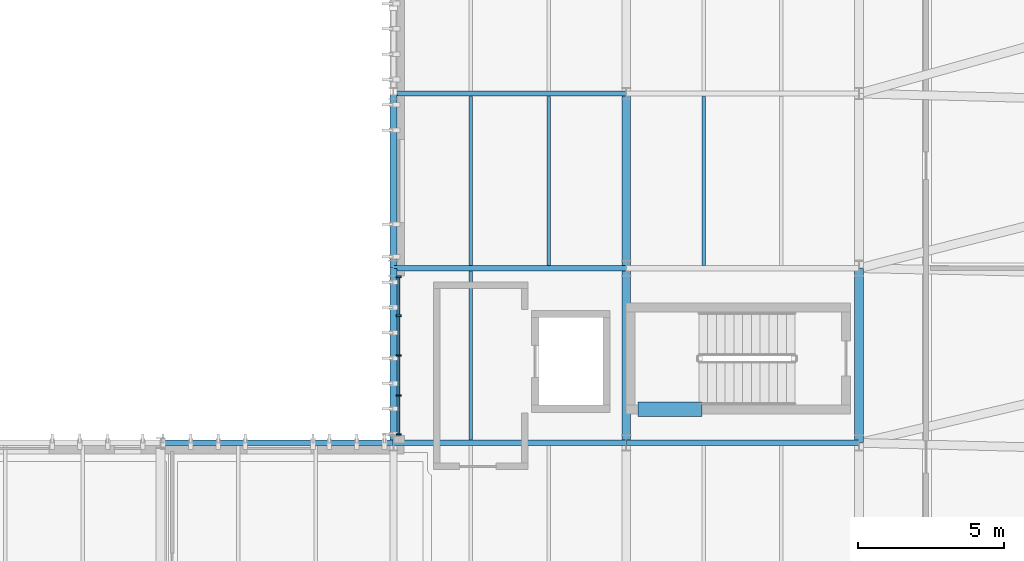
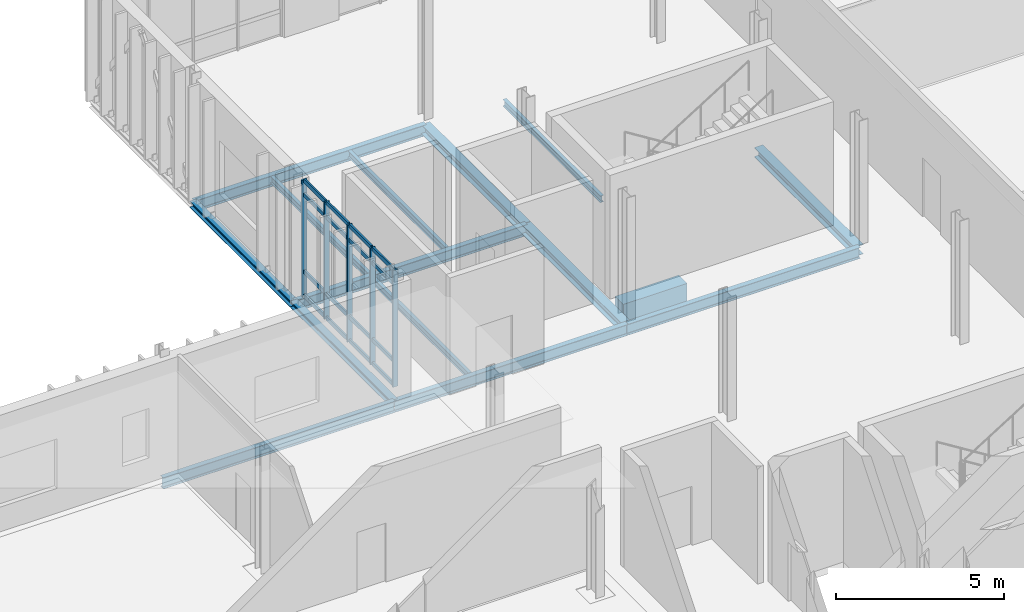
# One storey, part 40 of 86: 21 members, 15 beams, 1 element without a shape of its own.
"""IFC4 building model written with IfcOpenShell, lengths in metres."""

import ifcopenshell
import ifcopenshell.guid

model = None  # the IFC model being written
_history = None  # IfcOwnerHistory: only IFC2X3 demands one
_inside = {}  # id of a spatial element -> (the spatial element, [elements in it])
_under = {}  # id of a project, library or spatial element -> (it, [spatial elements below it])
_declared = {}  # id of a project -> (the project, [libraries it declares])
_typed = {}  # id of a type object -> (the type object, [elements of that type])
_made_of = {}  # id of a material, layer set ... -> (it, [elements and type objects made of it])


def new_model(schema):
    """Start an empty IFC model of exactly this schema.

    Asked for "IFC4X3", IfcOpenShell would pick the latest addendum, in which some entities
    have other attributes; the version numbers below select the first issue.
    IFC2X3 requires an IfcOwnerHistory on every rooted entity: one is made here for all.
    """
    global model, _history
    if schema == "IFC4X3":
        model = ifcopenshell.file(schema_version=(4, 3, 0, 0))
    else:
        model = ifcopenshell.file(schema=schema)
    _inside.clear()
    _under.clear()
    _declared.clear()
    _typed.clear()
    _made_of.clear()
    _history = None
    if model.schema == "IFC2X3":
        org = make("IfcOrganization", Name="unknown")
        user = make(
            "IfcPersonAndOrganization",
            ThePerson=make("IfcPerson", FamilyName="unknown"),
            TheOrganization=org,
        )
        app = make(
            "IfcApplication",
            ApplicationDeveloper=org,
            Version="unknown",
            ApplicationFullName="unknown",
            ApplicationIdentifier="unknown",
        )
        _history = make(
            "IfcOwnerHistory",
            OwningUser=user,
            OwningApplication=app,
            ChangeAction="ADDED",
            CreationDate=0,
        )
    return model


def make(cls, **values):
    """One entity of the class cls with the attributes given. An attribute that is None is left unset."""
    return model.create_entity(
        cls, **{name: value for name, value in values.items() if value is not None}
    )


def rooted(cls, **values):
    """An entity with a GlobalId (a new one), such as an element, a storey or a relation."""
    return make(cls, GlobalId=ifcopenshell.guid.new(), OwnerHistory=_history, **values)


def si_unit(unit_type, name, prefix=None):
    """IfcSIUnit, for example si_unit("LENGTHUNIT", "METRE", prefix="MILLI")."""
    return make("IfcSIUnit", UnitType=unit_type, Prefix=prefix, Name=name)


def assignment(units):
    """IfcUnitAssignment: the units of a project."""
    return None if units is None else make("IfcUnitAssignment", Units=units)


def point(xyz):
    """IfcCartesianPoint."""
    return None if xyz is None else make("IfcCartesianPoint", Coordinates=xyz)


def direction(xyz):
    """IfcDirection."""
    return None if xyz is None else make("IfcDirection", DirectionRatios=xyz)


def frame(location, z_axis=None, x_axis=None):
    """IfcAxis2Placement3D, a coordinate frame: its origin and axes. An axis left out is left unset."""
    return make(
        "IfcAxis2Placement3D",
        Location=point(location),
        Axis=direction(z_axis),
        RefDirection=direction(x_axis),
    )


def frame_2d(location, x_axis=None):
    """IfcAxis2Placement2D, a coordinate frame in the plane: its origin and x axis."""
    return make(
        "IfcAxis2Placement2D", Location=point(location), RefDirection=direction(x_axis)
    )


def origin():
    """The frame at (0, 0, 0) with its axes left unset."""
    return frame((0.0, 0.0, 0.0))


def origin_2d():
    """The frame at (0, 0) in the plane with its x axis left unset."""
    return frame_2d((0.0, 0.0))


def place(relative_to, where):
    """IfcLocalPlacement: puts the frame where relative to a parent placement (None: the world)."""
    return make(
        "IfcLocalPlacement", PlacementRelTo=relative_to, RelativePlacement=where
    )


def context(
    kind, dimensions, precision=None, world=None, true_north=None, identifier=None
):
    """IfcGeometricRepresentationContext, for example the 3D "Model" context."""
    return make(
        "IfcGeometricRepresentationContext",
        ContextIdentifier=identifier,
        ContextType=kind,
        CoordinateSpaceDimension=dimensions,
        Precision=precision,
        WorldCoordinateSystem=world,
        TrueNorth=true_north,
    )


def subcontext(parent, identifier, kind, view, scale=None):
    """IfcGeometricRepresentationSubContext, for example "Body" below "Model"."""
    return make(
        "IfcGeometricRepresentationSubContext",
        ContextIdentifier=identifier,
        ContextType=kind,
        ParentContext=parent,
        TargetScale=scale,
        TargetView=view,
    )


def project(units=None, contexts=None):
    """IfcProject with its units and contexts."""
    return rooted(
        "IfcProject",
        Name="project",
        RepresentationContexts=contexts,
        UnitsInContext=assignment(units),
    )


def spatial(cls, under=None, at=None, **own):
    """A site, building, storey or space (cls), placed at a placement, below another one or the project."""
    s = rooted(cls, ObjectPlacement=at, **own)
    if under is not None:
        _under.setdefault(under.id(), (under, []))[1].append(s)
    return s


def profile(cls, at=None, kind="AREA", **sizes):
    """A parametric profile (cls). Its sizes go by their IFC names, for example OverallWidth=200.0."""
    return make(cls, ProfileType=kind, Position=at, **sizes)


def rectangle(**sizes):
    """IfcRectangleProfileDef."""
    return profile("IfcRectangleProfileDef", **sizes)


def i_section(**sizes):
    """IfcIShapeProfileDef."""
    return profile("IfcIShapeProfileDef", **sizes)


def extrude(swept, where, along, depth):
    """IfcExtrudedAreaSolid: the profile swept, set in the frame where, extruded along a direction by depth."""
    return make(
        "IfcExtrudedAreaSolid",
        SweptArea=swept,
        Position=where,
        ExtrudedDirection=direction(along),
        Depth=depth,
    )


def shape(context_of_items, identifier, shape_type, items):
    """IfcShapeRepresentation: the items that make up one representation, for example the "Body"."""
    return make(
        "IfcShapeRepresentation",
        ContextOfItems=context_of_items,
        RepresentationIdentifier=identifier,
        RepresentationType=shape_type,
        Items=items,
    )


def material(Name=None, Category=None):
    """IfcMaterial."""
    return make("IfcMaterial", Name=Name, Category=Category)


def material_profile(
    of_material, cross_section, Name=None, Category=None, Priority=None
):
    """IfcMaterialProfile: a cross section and its material."""
    return make(
        "IfcMaterialProfile",
        Name=Name,
        Material=of_material,
        Profile=cross_section,
        Priority=Priority,
        Category=Category,
    )


def profile_set(profiles, Name=None, composite=None):
    """IfcMaterialProfileSet."""
    return make(
        "IfcMaterialProfileSet",
        Name=Name,
        MaterialProfiles=profiles,
        CompositeProfile=composite,
    )


def made_of(thing, what):
    """Note that an element or type object is made of a material, layer set ...; save() writes the relation."""
    if what is not None:
        _made_of.setdefault(what.id(), (what, []))[1].append(thing)
    return thing


def type_object(cls, material=None, **own):
    """A type object (cls), such as IfcWallType, which elements share."""
    return made_of(rooted(cls, **own), material)


def element(
    cls,
    number,
    at=None,
    inside=None,
    cuts=None,
    type_object=None,
    material=None,
    context=None,
    identifier="Body",
    shape_type=None,
    held_by="IfcProductDefinitionShape",
    body=None,
    shapes=None,
    **own,
):
    """One element of the class cls, such as IfcWall. Its Tag is "e" and its number.

    at: its placement. inside: the storey or other place that contains it. cuts: it is an
    opening in that element (IfcRelVoidsElement). A single representation is given by context,
    identifier, shape_type and body (its items); several are given by shapes. held_by: the class
    of the entity that holds the representations. save() writes the other relations.
    """
    e = rooted(cls, Tag="e%d" % number, ObjectPlacement=at, **own)
    if body is not None:
        shapes = [shape(context, identifier, shape_type, body)]
    if shapes is not None:
        e.Representation = make(held_by, Representations=shapes)
    if inside is not None:
        _inside.setdefault(inside.id(), (inside, []))[1].append(e)
    if cuts is not None:
        rooted(
            "IfcRelVoidsElement", RelatingBuildingElement=cuts, RelatedOpeningElement=e
        )
    if type_object is not None:
        _typed.setdefault(type_object.id(), (type_object, []))[1].append(e)
    return made_of(e, material)


def aggregate(whole, parts):
    """IfcRelAggregates: a whole, such as a stair, and the parts it consists of."""
    return rooted("IfcRelAggregates", RelatingObject=whole, RelatedObjects=parts)


def save(model, path):
    """Write the relations noted so far, then the file.

    IfcRelAggregates (storeys below a building ...), IfcRelContainedInSpatialStructure (elements
    in a storey), IfcRelDefinesByType, IfcRelAssociatesMaterial and IfcRelDeclares: one each for
    every whole, place, type object, material and project.
    """
    for whole, parts in _under.values():
        aggregate(whole, parts)
    for where, things in _inside.values():
        rooted(
            "IfcRelContainedInSpatialStructure",
            RelatedElements=things,
            RelatingStructure=where,
        )
    for kind, things in _typed.values():
        rooted("IfcRelDefinesByType", RelatedObjects=things, RelatingType=kind)
    for what, things in _made_of.values():
        rooted("IfcRelAssociatesMaterial", RelatedObjects=things, RelatingMaterial=what)
    for by, libraries in _declared.values():
        rooted("IfcRelDeclares", RelatingContext=by, RelatedDefinitions=libraries)
    model.write(path)


model = new_model("IFC4")

# Units and contexts
model_context = context("Model", 3, precision=1e-05, world=origin(), true_north=direction((0.0, 1.0)))
body_context = subcontext(model_context, "Body", "Model", "MODEL_VIEW")
ifc_project = project(units=[si_unit("LENGTHUNIT", "METRE"), si_unit("AREAUNIT", "SQUARE_METRE"), si_unit("VOLUMEUNIT", "CUBIC_METRE"), si_unit("PLANEANGLEUNIT", "RADIAN"), si_unit("MASSUNIT", "GRAM", prefix="KILO")], contexts=[model_context])

# Site, building, storey
site_placement = place(None, origin())
site = spatial("IfcSite", under=ifc_project, at=site_placement, CompositionType="ELEMENT")
building_placement = place(site_placement, origin())
building = spatial("IfcBuilding", under=site, at=building_placement, Name="Cymarion Research Institute", CompositionType="ELEMENT")
storey_placement = place(building_placement, frame((0.0, 0.0, 13.800048828125)))
storey = spatial("IfcBuildingStorey", under=building, at=storey_placement, Name="L03", CompositionType="ELEMENT", Elevation=13.800048828125)

# Beam
ifc_material_1 = material(Name="Concrete C40/50", Category="concrete")
ifc_material_profile_1 = material_profile(ifc_material_1, rectangle(XDim=0.5, YDim=0.800048828125, at=origin_2d()), Name="RC 500x800")
ifc_profile_set_1 = profile_set([ifc_material_profile_1], Name="Concrete C40/50")
beam_type_1 = type_object("IfcBeamType", Name="COUPLING LINTEL LN03 RC 500x800", PredefinedType="LINTEL", material=ifc_profile_set_1)
beam_placement = place(storey_placement, frame((147.0, 24.64990234375, -0.670166015625), z_axis=(1.0, 0.0, 0.0), x_axis=(0.0, 1.0, 0.0)))
element("IfcBeam", 1, at=beam_placement, inside=storey, type_object=beam_type_1, Name="L03 C2 core coupling lintel LN03", PredefinedType="LINTEL", context=body_context, shape_type="SweptSolid", body=[
    extrude(rectangle(XDim=0.5, YDim=0.800048828125, at=origin_2d()), origin(), (0.0, 0.0, 1.0), 2.199951171875),
])

# Curtain wall, members
ifc_material_2 = material(Name="Anodised aluminium unitised curtain wall with Low-E glazing", Category="aluminium")
curtain_wall_type = type_object("IfcCurtainWallType", Name="UNITISED CURTAIN WALL CW06 5480X4250", PredefinedType="NOTDEFINED", material=ifc_material_2)
curtain_wall_placement = place(storey_placement, origin())
curtain_wall = element("IfcCurtainWall", 2, at=curtain_wall_placement, inside=storey, type_object=curtain_wall_type, Name="L03 V1 unitised curtain wall CW06 #130", PredefinedType="NOTDEFINED")
ifc_material_3 = material(Name="Anodised aluminium framing", Category="aluminium")
ifc_material_profile_2 = material_profile(ifc_material_3, rectangle(XDim=0.06005859375, YDim=0.179931640625, at=origin_2d()), Name="ALU MULLION 60x180")
ifc_profile_set_2 = profile_set([ifc_material_profile_2], Name="Anodised aluminium framing")
member_type_1 = type_object("IfcMemberType", Name="CURTAIN WALL MULLION ML01 60X180", PredefinedType="MULLION", material=ifc_profile_set_2)
member_1_placement = place(storey_placement, frame((138.7900390625, 29.2099609375, 0.0), z_axis=(0.0, 0.0, 1.0), x_axis=(0.0, -1.0, 0.0)))
member_1 = element("IfcMember", 3, at=member_1_placement, type_object=member_type_1, Name="CW06 mullion 1", PredefinedType="MULLION", context=body_context, shape_type="SweptSolid", body=[
    extrude(rectangle(XDim=0.06005859375, YDim=0.179931640625, at=origin_2d()), origin(), (0.0, 0.0, 1.0), 4.25),
])
member_2_placement = place(storey_placement, frame((138.7900390625, 27.8701171875, 0.0), z_axis=(0.0, 0.0, 1.0), x_axis=(0.0, -1.0, 0.0)))
member_2 = element("IfcMember", 4, at=member_2_placement, type_object=member_type_1, Name="CW06 mullion 2", PredefinedType="MULLION", context=body_context, shape_type="SweptSolid", body=[
    extrude(rectangle(XDim=0.06005859375, YDim=0.179931640625, at=origin_2d()), origin(), (0.0, 0.0, 1.0), 4.25),
])
member_3_placement = place(storey_placement, frame((138.7900390625, 26.5, 0.0), z_axis=(0.0, 0.0, 1.0), x_axis=(0.0, -1.0, 0.0)))
member_3 = element("IfcMember", 5, at=member_3_placement, type_object=member_type_1, Name="CW06 mullion 3", PredefinedType="MULLION", context=body_context, shape_type="SweptSolid", body=[
    extrude(rectangle(XDim=0.06005859375, YDim=0.179931640625, at=origin_2d()), origin(), (0.0, 0.0, 1.0), 4.25),
])
member_4_placement = place(storey_placement, frame((138.7900390625, 25.1298828125, 0.0), z_axis=(0.0, 0.0, 1.0), x_axis=(0.0, -1.0, 0.0)))
member_4 = element("IfcMember", 6, at=member_4_placement, type_object=member_type_1, Name="CW06 mullion 4", PredefinedType="MULLION", context=body_context, shape_type="SweptSolid", body=[
    extrude(rectangle(XDim=0.06005859375, YDim=0.179931640625, at=origin_2d()), origin(), (0.0, 0.0, 1.0), 4.25),
])
member_5_placement = place(storey_placement, frame((138.7900390625, 23.7900390625, 0.0), z_axis=(0.0, 0.0, 1.0), x_axis=(0.0, -1.0, 0.0)))
member_5 = element("IfcMember", 7, at=member_5_placement, type_object=member_type_1, Name="CW06 mullion 5", PredefinedType="MULLION", context=body_context, shape_type="SweptSolid", body=[
    extrude(rectangle(XDim=0.06005859375, YDim=0.179931640625, at=origin_2d()), origin(), (0.0, 0.0, 1.0), 4.25),
])
ifc_material_profile_3 = material_profile(ifc_material_3, rectangle(XDim=0.06005859375, YDim=0.14990234375, at=origin_2d()), Name="ALU TRANSOM 60x150")
ifc_profile_set_3 = profile_set([ifc_material_profile_3], Name="Anodised aluminium framing")
member_type_2 = type_object("IfcMemberType", Name="CURTAIN WALL TRANSOM TR01 60X150", PredefinedType="USERDEFINED", material=ifc_profile_set_3)
member_6_placement = place(storey_placement, frame((138.7900390625, 29.179931640625, 0.030029296875), z_axis=(0.0, -1.0, 0.0), x_axis=(1.0, 0.0, 0.0)))
member_6 = element("IfcMember", 8, at=member_6_placement, type_object=member_type_2, Name="CW06 transom 1.1", ObjectType="TRANSOM", PredefinedType="USERDEFINED", context=body_context, shape_type="SweptSolid", body=[
    extrude(rectangle(XDim=0.06005859375, YDim=0.14990234375, at=origin_2d()), origin(), (0.0, 0.0, 1.0), 1.280029296875),
])
member_7_placement = place(storey_placement, frame((138.7900390625, 29.179931640625, 0.89990234375), z_axis=(0.0, -1.0, 0.0), x_axis=(1.0, 0.0, 0.0)))
member_7 = element("IfcMember", 9, at=member_7_placement, type_object=member_type_2, Name="CW06 transom 1.2", ObjectType="TRANSOM", PredefinedType="USERDEFINED", context=body_context, shape_type="SweptSolid", body=[
    extrude(rectangle(XDim=0.06005859375, YDim=0.14990234375, at=origin_2d()), origin(), (0.0, 0.0, 1.0), 1.280029296875),
])
member_8_placement = place(storey_placement, frame((138.7900390625, 29.179931640625, 3.699951171875), z_axis=(0.0, -1.0, 0.0), x_axis=(1.0, 0.0, 0.0)))
member_8 = element("IfcMember", 10, at=member_8_placement, type_object=member_type_2, Name="CW06 transom 1.3", ObjectType="TRANSOM", PredefinedType="USERDEFINED", context=body_context, shape_type="SweptSolid", body=[
    extrude(rectangle(XDim=0.06005859375, YDim=0.14990234375, at=origin_2d()), origin(), (0.0, 0.0, 1.0), 1.280029296875),
])
member_9_placement = place(storey_placement, frame((138.7900390625, 29.179931640625, 4.219970703125), z_axis=(0.0, -1.0, 0.0), x_axis=(1.0, 0.0, 0.0)))
member_9 = element("IfcMember", 11, at=member_9_placement, type_object=member_type_2, Name="CW06 transom 1.4", ObjectType="TRANSOM", PredefinedType="USERDEFINED", context=body_context, shape_type="SweptSolid", body=[
    extrude(rectangle(XDim=0.06005859375, YDim=0.14990234375, at=origin_2d()), origin(), (0.0, 0.0, 1.0), 1.280029296875),
])
member_10_placement = place(storey_placement, frame((138.7900390625, 27.840087890625, 0.030029296875), z_axis=(0.0, -1.0, 0.0), x_axis=(1.0, 0.0, 0.0)))
member_10 = element("IfcMember", 12, at=member_10_placement, type_object=member_type_2, Name="CW06 transom 2.1", ObjectType="TRANSOM", PredefinedType="USERDEFINED", context=body_context, shape_type="SweptSolid", body=[
    extrude(rectangle(XDim=0.06005859375, YDim=0.14990234375, at=origin_2d()), origin(), (0.0, 0.0, 1.0), 1.31005859375),
])
member_11_placement = place(storey_placement, frame((138.7900390625, 27.840087890625, 0.89990234375), z_axis=(0.0, -1.0, 0.0), x_axis=(1.0, 0.0, 0.0)))
member_11 = element("IfcMember", 13, at=member_11_placement, type_object=member_type_2, Name="CW06 transom 2.2", ObjectType="TRANSOM", PredefinedType="USERDEFINED", context=body_context, shape_type="SweptSolid", body=[
    extrude(rectangle(XDim=0.06005859375, YDim=0.14990234375, at=origin_2d()), origin(), (0.0, 0.0, 1.0), 1.31005859375),
])
member_12_placement = place(storey_placement, frame((138.7900390625, 27.840087890625, 3.699951171875), z_axis=(0.0, -1.0, 0.0), x_axis=(1.0, 0.0, 0.0)))
member_12 = element("IfcMember", 14, at=member_12_placement, type_object=member_type_2, Name="CW06 transom 2.3", ObjectType="TRANSOM", PredefinedType="USERDEFINED", context=body_context, shape_type="SweptSolid", body=[
    extrude(rectangle(XDim=0.06005859375, YDim=0.14990234375, at=origin_2d()), origin(), (0.0, 0.0, 1.0), 1.31005859375),
])
member_13_placement = place(storey_placement, frame((138.7900390625, 27.840087890625, 4.219970703125), z_axis=(0.0, -1.0, 0.0), x_axis=(1.0, 0.0, 0.0)))
member_13 = element("IfcMember", 15, at=member_13_placement, type_object=member_type_2, Name="CW06 transom 2.4", ObjectType="TRANSOM", PredefinedType="USERDEFINED", context=body_context, shape_type="SweptSolid", body=[
    extrude(rectangle(XDim=0.06005859375, YDim=0.14990234375, at=origin_2d()), origin(), (0.0, 0.0, 1.0), 1.31005859375),
])
member_14_placement = place(storey_placement, frame((138.7900390625, 26.469970703125, 0.030029296875), z_axis=(0.0, -1.0, 0.0), x_axis=(1.0, 0.0, 0.0)))
member_14 = element("IfcMember", 16, at=member_14_placement, type_object=member_type_2, Name="CW06 transom 3.1", ObjectType="TRANSOM", PredefinedType="USERDEFINED", context=body_context, shape_type="SweptSolid", body=[
    extrude(rectangle(XDim=0.06005859375, YDim=0.14990234375, at=origin_2d()), origin(), (0.0, 0.0, 1.0), 1.31005859375),
])
member_15_placement = place(storey_placement, frame((138.7900390625, 26.469970703125, 0.89990234375), z_axis=(0.0, -1.0, 0.0), x_axis=(1.0, 0.0, 0.0)))
member_15 = element("IfcMember", 17, at=member_15_placement, type_object=member_type_2, Name="CW06 transom 3.2", ObjectType="TRANSOM", PredefinedType="USERDEFINED", context=body_context, shape_type="SweptSolid", body=[
    extrude(rectangle(XDim=0.06005859375, YDim=0.14990234375, at=origin_2d()), origin(), (0.0, 0.0, 1.0), 1.31005859375),
])
member_16_placement = place(storey_placement, frame((138.7900390625, 26.469970703125, 3.699951171875), z_axis=(0.0, -1.0, 0.0), x_axis=(1.0, 0.0, 0.0)))
member_16 = element("IfcMember", 18, at=member_16_placement, type_object=member_type_2, Name="CW06 transom 3.3", ObjectType="TRANSOM", PredefinedType="USERDEFINED", context=body_context, shape_type="SweptSolid", body=[
    extrude(rectangle(XDim=0.06005859375, YDim=0.14990234375, at=origin_2d()), origin(), (0.0, 0.0, 1.0), 1.31005859375),
])
member_17_placement = place(storey_placement, frame((138.7900390625, 26.469970703125, 4.219970703125), z_axis=(0.0, -1.0, 0.0), x_axis=(1.0, 0.0, 0.0)))
member_17 = element("IfcMember", 19, at=member_17_placement, type_object=member_type_2, Name="CW06 transom 3.4", ObjectType="TRANSOM", PredefinedType="USERDEFINED", context=body_context, shape_type="SweptSolid", body=[
    extrude(rectangle(XDim=0.06005859375, YDim=0.14990234375, at=origin_2d()), origin(), (0.0, 0.0, 1.0), 1.31005859375),
])
member_18_placement = place(storey_placement, frame((138.7900390625, 25.10009765625, 0.030029296875), z_axis=(0.0, -1.0, 0.0), x_axis=(1.0, 0.0, 0.0)))
member_18 = element("IfcMember", 20, at=member_18_placement, type_object=member_type_2, Name="CW06 transom 4.1", ObjectType="TRANSOM", PredefinedType="USERDEFINED", context=body_context, shape_type="SweptSolid", body=[
    extrude(rectangle(XDim=0.06005859375, YDim=0.14990234375, at=origin_2d()), origin(), (0.0, 0.0, 1.0), 1.280029296875),
])
member_19_placement = place(storey_placement, frame((138.7900390625, 25.10009765625, 0.89990234375), z_axis=(0.0, -1.0, 0.0), x_axis=(1.0, 0.0, 0.0)))
member_19 = element("IfcMember", 21, at=member_19_placement, type_object=member_type_2, Name="CW06 transom 4.2", ObjectType="TRANSOM", PredefinedType="USERDEFINED", context=body_context, shape_type="SweptSolid", body=[
    extrude(rectangle(XDim=0.06005859375, YDim=0.14990234375, at=origin_2d()), origin(), (0.0, 0.0, 1.0), 1.280029296875),
])
member_20_placement = place(storey_placement, frame((138.7900390625, 25.10009765625, 3.699951171875), z_axis=(0.0, -1.0, 0.0), x_axis=(1.0, 0.0, 0.0)))
member_20 = element("IfcMember", 22, at=member_20_placement, type_object=member_type_2, Name="CW06 transom 4.3", ObjectType="TRANSOM", PredefinedType="USERDEFINED", context=body_context, shape_type="SweptSolid", body=[
    extrude(rectangle(XDim=0.06005859375, YDim=0.14990234375, at=origin_2d()), origin(), (0.0, 0.0, 1.0), 1.280029296875),
])
member_21_placement = place(storey_placement, frame((138.7900390625, 25.10009765625, 4.219970703125), z_axis=(0.0, -1.0, 0.0), x_axis=(1.0, 0.0, 0.0)))
member_21 = element("IfcMember", 23, at=member_21_placement, type_object=member_type_2, Name="CW06 transom 4.4", ObjectType="TRANSOM", PredefinedType="USERDEFINED", context=body_context, shape_type="SweptSolid", body=[
    extrude(rectangle(XDim=0.06005859375, YDim=0.14990234375, at=origin_2d()), origin(), (0.0, 0.0, 1.0), 1.280029296875),
])
aggregate(curtain_wall, [member_1, member_2, member_3, member_4, member_5, member_6, member_7, member_8, member_9, member_10, member_11, member_12, member_13, member_14, member_15, member_16, member_17, member_18, member_19, member_20, member_21])

# Beams
ifc_material_4 = material(Name="Steel S355", Category="steel")
ifc_material_profile_4 = material_profile(ifc_material_4, i_section(OverallWidth=0.179931640625, OverallDepth=0.39990234375, WebThickness=0.008544921875, FlangeThickness=0.013427734375, FilletRadius=0.02099609375, at=origin_2d()), Name="IPE 400")
ifc_profile_set_4 = profile_set([ifc_material_profile_4], Name="Steel S355")
beam_type_2 = type_object("IfcBeamType", Name="PRIMARY GIRDER BM05 IPE 400", PredefinedType="BEAM", material=ifc_profile_set_4)
for number, where, z_axis, x_axis, name in (
    (24, (130.60595703125, 23.5, -0.449951171875), (1.0, 0.0, 0.0), (0.0, 1.0, 0.0), "L03 V1 girder BM05 #1187"),
    (25, (138.60595703125, 23.5, -0.449951171875), (1.0, 0.0, 0.0), (0.0, 1.0, 0.0), "L03 V1 girder BM05 #1188"),
    (26, (146.60595703125, 23.5, -0.449951171875), (1.0, 0.0, 0.0), (0.0, 1.0, 0.0), "L03 V1 girder BM05 #1189"),
    (27, (138.60595703125, 29.5, -0.449951171875), (1.0, 0.0, 0.0), (0.0, 1.0, 0.0), "L03 V1 girder BM05 #1190"),
    (28, (138.60595703125, 35.5, -0.449951171875), (1.0, 0.0, 0.0), (0.0, 1.0, 0.0), "L03 V1 girder BM05 #1192"),
):
    element("IfcBeam", number, at=place(storey_placement, frame(where, z_axis=z_axis, x_axis=x_axis)), inside=storey, type_object=beam_type_2, Name=name, PredefinedType="BEAM", context=body_context, shape_type="SweptSolid", body=[
        extrude(i_section(OverallWidth=0.179931640625, OverallDepth=0.39990234375, WebThickness=0.008544921875, FlangeThickness=0.013427734375, FilletRadius=0.02099609375, at=origin_2d()), origin(), (0.0, 0.0, 1.0), 7.988037109375),
    ])
ifc_material_profile_5 = material_profile(ifc_material_4, i_section(OverallWidth=0.300048828125, OverallDepth=0.35009765625, WebThickness=0.010009765625, FlangeThickness=0.017578125, FilletRadius=0.027099609375, at=origin_2d()), Name="HEA 360")
ifc_profile_set_5 = profile_set([ifc_material_profile_5], Name="Steel S355")
beam_type_3 = type_object("IfcBeamType", Name="PRIMARY GIRDER BM12 HEA 360", PredefinedType="BEAM", material=ifc_profile_set_5)
for number, where, z_axis, x_axis, name in (
    (29, (146.60009765625, 23.506103515625, -0.425048828125), (0.0, 1.0, 0.0), (-1.0, 0.0, 0.0), "L03 V1 girder BM12 #1216"),
    (30, (146.60009765625, 29.506103515625, -0.425048828125), (0.0, 1.0, 0.0), (-1.0, 0.0, 0.0), "L03 V1 girder BM12 #1217"),
    (31, (154.60009765625, 23.506103515625, -0.425048828125), (0.0, 1.0, 0.0), (-1.0, 0.0, 0.0), "L03 V1 girder BM12 #1221"),
):
    element("IfcBeam", number, at=place(storey_placement, frame(where, z_axis=z_axis, x_axis=x_axis)), inside=storey, type_object=beam_type_3, Name=name, PredefinedType="BEAM", context=body_context, shape_type="SweptSolid", body=[
        extrude(i_section(OverallWidth=0.300048828125, OverallDepth=0.35009765625, WebThickness=0.010009765625, FlangeThickness=0.017578125, FilletRadius=0.027099609375, at=origin_2d()), origin(), (0.0, 0.0, 1.0), 5.98779296875),
    ])
ifc_material_profile_6 = material_profile(ifc_material_4, i_section(OverallWidth=0.1201171875, OverallDepth=0.239990234375, WebThickness=0.006103515625, FlangeThickness=0.009765625, FilletRadius=0.014892578125, at=origin_2d()), Name="IPE 240")
ifc_profile_set_6 = profile_set([ifc_material_profile_6], Name="Steel S355")
beam_type_4 = type_object("IfcBeamType", Name="SECONDARY JOIST JS04 IPE 240", PredefinedType="JOIST", material=ifc_profile_set_6)
for number, where, z_axis, x_axis, name in (
    (32, (141.2666015625, 23.593994140625, -0.3701171875), (0.0, 1.0, 0.0), (-1.0, 0.0, 0.0), "L03 V1 secondary joist JS04 #1269"),
    (33, (141.2666015625, 29.593994140625, -0.3701171875), (0.0, 1.0, 0.0), (-1.0, 0.0, 0.0), "L03 V1 secondary joist JS04 #1270"),
    (34, (143.933349609375, 29.593994140625, -0.3701171875), (0.0, 1.0, 0.0), (-1.0, 0.0, 0.0), "L03 V1 secondary joist JS04 #1271"),
    (35, (149.2666015625, 29.593994140625, -0.3701171875), (0.0, 1.0, 0.0), (-1.0, 0.0, 0.0), "L03 V1 secondary joist JS04 #1272"),
):
    element("IfcBeam", number, at=place(storey_placement, frame(where, z_axis=z_axis, x_axis=x_axis)), inside=storey, type_object=beam_type_4, Name=name, PredefinedType="JOIST", context=body_context, shape_type="SweptSolid", body=[
        extrude(i_section(OverallWidth=0.1201171875, OverallDepth=0.239990234375, WebThickness=0.006103515625, FlangeThickness=0.009765625, FilletRadius=0.014892578125, at=origin_2d()), origin(), (0.0, 0.0, 1.0), 5.81201171875),
    ])
ifc_material_profile_7 = material_profile(ifc_material_4, i_section(OverallWidth=0.239990234375, OverallDepth=0.22998046875, WebThickness=0.007568359375, FlangeThickness=0.011962890625, FilletRadius=0.02099609375, at=origin_2d()), Name="HEA 240")
ifc_profile_set_7 = profile_set([ifc_material_profile_7], Name="Steel S355")
beam_type_5 = type_object("IfcBeamType", Name="SPANDREL BEAM SPB03 HEA 240", PredefinedType="SPANDREL", material=ifc_profile_set_7)
for number, where, z_axis, x_axis, name in (
    (36, (138.60009765625, 23.506103515625, -0.364990234375), (0.0, 1.0, 0.0), (-1.0, 0.0, 0.0), "L03 V1 girder SPB03 #1211"),
    (37, (138.60009765625, 29.506103515625, -0.364990234375), (0.0, 1.0, 0.0), (-1.0, 0.0, 0.0), "L03 V1 girder SPB03 #1212"),
):
    element("IfcBeam", number, at=place(storey_placement, frame(where, z_axis=z_axis, x_axis=x_axis)), inside=storey, type_object=beam_type_5, Name=name, PredefinedType="SPANDREL", context=body_context, shape_type="SweptSolid", body=[
        extrude(i_section(OverallWidth=0.239990234375, OverallDepth=0.22998046875, WebThickness=0.007568359375, FlangeThickness=0.011962890625, FilletRadius=0.02099609375, at=origin_2d()), origin(), (0.0, 0.0, 1.0), 5.98779296875),
    ])

save(model, "model.ifc")
